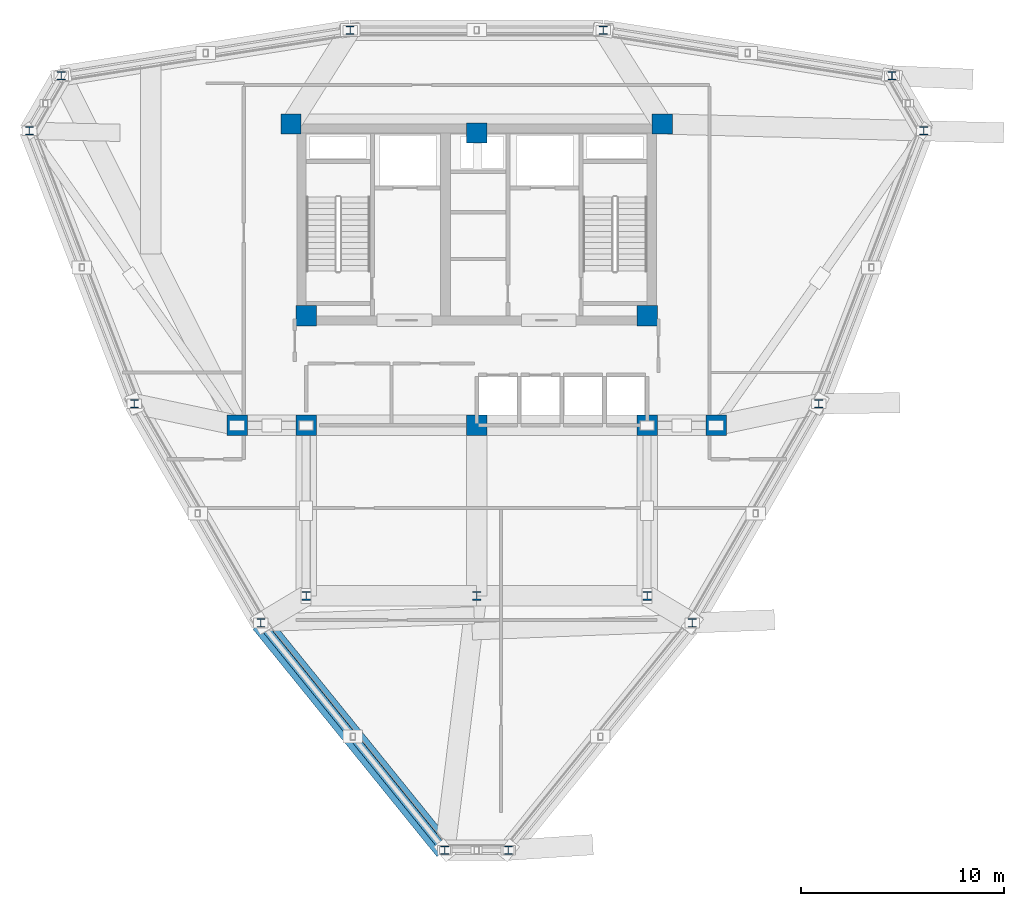
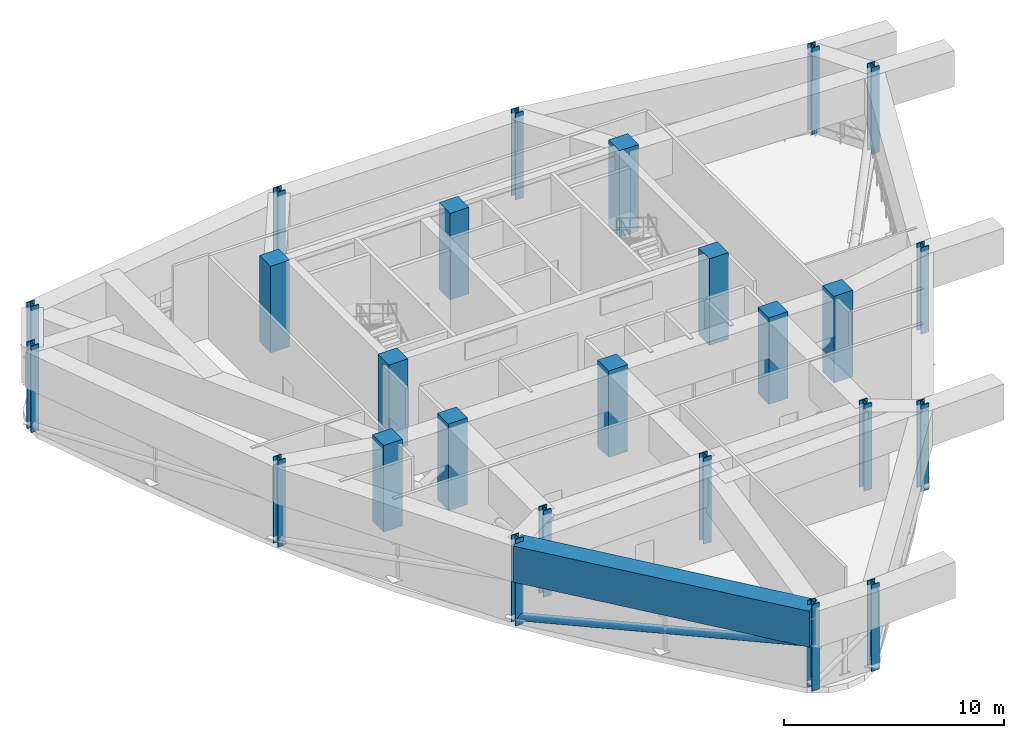
# One storey, part 1 of 12: 25 columns, 1 beam, 1 member.
"""IFC4 building model written with IfcOpenShell, lengths in metres."""

from ifc_helpers import new_model, si_unit, derived_unit, direction, frame, origin, origin_2d, place, context, subcontext, project, spatial, rectangle, hollow_circle, i_section, extrude, source, transform, mapped, material, material_profile, profile_set, type_object, element, save


model = new_model("IFC4")

# Units and contexts
model_context = context("Model", 3, precision=1e-05, world=origin(), true_north=direction((0.0, 1.0)))
body_context = subcontext(model_context, "Body", "Model", "MODEL_VIEW")
ifc_project = project(units=[si_unit("LENGTHUNIT", "METRE"), si_unit("AREAUNIT", "SQUARE_METRE"), si_unit("VOLUMEUNIT", "CUBIC_METRE"), si_unit("PLANEANGLEUNIT", "RADIAN"), si_unit("MASSUNIT", "GRAM", prefix="KILO"), derived_unit("THERMALTRANSMITTANCEUNIT", [(si_unit("POWERUNIT", "WATT"), 1), (si_unit("LENGTHUNIT", "METRE"), -2), (si_unit("THERMODYNAMICTEMPERATUREUNIT", "KELVIN"), -1)])], contexts=[model_context])

# Site, building, storey
site_placement = place(None, origin())
site = spatial("IfcSite", under=ifc_project, at=site_placement, CompositionType="ELEMENT")
building_placement = place(site_placement, origin())
building = spatial("IfcBuilding", under=site, at=building_placement, Name="Korsvarv Bourse and Concert Hall", CompositionType="ELEMENT")
storey_placement = place(building_placement, frame((0.0, 0.0, 201.0)))
storey = spatial("IfcBuildingStorey", under=building, at=storey_placement, Name="L52", CompositionType="ELEMENT", Elevation=201.0)

# Columns
ifc_material_1 = material(Name="Concrete C55/67", Category="concrete")
ifc_material_profile_1 = material_profile(ifc_material_1, rectangle(XDim=1.0, YDim=1.0, at=origin_2d()), Name="RC 1000x1000")
ifc_profile_set_1 = profile_set([ifc_material_profile_1], Name="Concrete C55/67")
column_type_1 = type_object("IfcColumnType", Name="COL-RC1000", PredefinedType="COLUMN", material=ifc_profile_set_1)
shared_shape_1 = source(origin(), body_context, "Body", "SweptSolid", [
    extrude(rectangle(XDim=1.0, YDim=1.0, at=origin_2d()), origin(), (0.0, 0.0, 1.0), 4.800048828125),
])
for number, where, z_axis, x_axis, name in (
    (1, (26.85009765625, 47.25, 0.0), (0.0, 0.0, 1.0), (1.0, 0.0, 0.0), "L52 column C-03"),
    (2, (45.14990234375, 47.25, 0.0), (0.0, 0.0, 1.0), (1.0, 0.0, 0.0), "L52 column C-03"),
    (3, (27.60009765625, 37.800048828125, 0.0), (0.0, 0.0, 1.0), (1.0, 0.0, 0.0), "L52 column C-03"),
    (4, (44.39990234375, 37.800048828125, 0.0), (0.0, 0.0, 1.0), (1.0, 0.0, 0.0), "L52 column C-03"),
    (5, (27.60009765625, 32.39990234375, 0.0), (0.0, 0.0, 1.0), (1.0, 0.0, 0.0), "L52 column C-03"),
    (6, (44.39990234375, 32.39990234375, 0.0), (0.0, 0.0, 1.0), (1.0, 0.0, 0.0), "L52 column C-03"),
    (7, (36.0, 46.800048828125, 0.0), (0.0, 0.0, 1.0), (1.0, 0.0, 0.0), "L52 column C-03"),
    (8, (36.0, 32.39990234375, 0.0), (0.0, 0.0, 1.0), (1.0, 0.0, 0.0), "L52 column C-03"),
    (9, (24.199951171875, 32.39990234375, 0.0), (0.0, 0.0, 1.0), (1.0, 0.0, 0.0), "L52 column C-03"),
    (10, (47.800048828125, 32.39990234375, 0.0), (0.0, 0.0, 1.0), (1.0, 0.0, 0.0), "L52 column C-03"),
):
    element("IfcColumn", number, at=place(storey_placement, frame(where, z_axis=z_axis, x_axis=x_axis)), inside=storey, type_object=column_type_1, Name=name, PredefinedType="COLUMN", context=body_context, shape_type="MappedRepresentation", body=[
        mapped(shared_shape_1, transform((0.0, 0.0, 0.0), scale=1.0)),
    ])
ifc_material_2 = material(Name="Steel S355", Category="steel")
ifc_material_profile_2 = material_profile(ifc_material_2, i_section(OverallWidth=0.412109375, OverallDepth=0.43505859375, WebThickness=0.032958984375, FlangeThickness=0.052978515625, FilletRadius=0.014892578125, at=origin_2d()), Name="HD 400x463")
ifc_profile_set_2 = profile_set([ifc_material_profile_2], Name="Steel S355")
column_type_2 = type_object("IfcColumnType", Name="COL-HD463", PredefinedType="COLUMN", material=ifc_profile_set_2)
shared_shape_2 = source(origin(), body_context, "Body", "SweptSolid", [
    extrude(i_section(OverallWidth=0.412109375, OverallDepth=0.43505859375, WebThickness=0.032958984375, FlangeThickness=0.052978515625, FilletRadius=0.014892578125, at=origin_2d()), origin(), (0.0, 0.0, 1.0), 4.800048828125),
])
for number, where, z_axis, x_axis, name in (
    (11, (27.60009765625, 24.0, 0.0), (0.0, 0.0, 1.0), (1.0, 0.0, 0.0), "L52 column C-09"),
    (12, (44.39990234375, 24.0, 0.0), (0.0, 0.0, 1.0), (1.0, 0.0, 0.0), "L52 column C-09"),
    (13, (36.0, 24.0, 0.0), (0.0, 0.0, 1.0), (1.0, 0.0, 0.0), "L52 column C-09"),
):
    element("IfcColumn", number, at=place(storey_placement, frame(where, z_axis=z_axis, x_axis=x_axis)), inside=storey, type_object=column_type_2, Name=name, PredefinedType="COLUMN", context=body_context, shape_type="MappedRepresentation", body=[
        mapped(shared_shape_2, transform((0.0, 0.0, 0.0), scale=1.0)),
    ])
ifc_material_profile_3 = material_profile(ifc_material_2, i_section(OverallWidth=0.406005859375, OverallDepth=0.416015625, WebThickness=0.027099609375, FlangeThickness=0.0439453125, FilletRadius=0.014892578125, at=origin_2d()), Name="HD 400x382")
ifc_profile_set_3 = profile_set([ifc_material_profile_3], Name="Steel S355")
column_type_3 = type_object("IfcColumnType", Name="COL-HD382", PredefinedType="COLUMN", material=ifc_profile_set_3)
shared_shape_3 = source(origin(), body_context, "Body", "SweptSolid", [
    extrude(i_section(OverallWidth=0.406005859375, OverallDepth=0.416015625, WebThickness=0.027099609375, FlangeThickness=0.0439453125, FilletRadius=0.014892578125, at=origin_2d()), origin(), (0.0, 0.0, 1.0), 4.800048828125),
])
for number, where, z_axis, x_axis, name in (
    (14, (58.0302734375, 46.912353515625, 0.0), (0.0, 0.0, 1.0), (1.0, 0.0, 0.0), "L52 column C-10"),
    (15, (56.465576171875, 49.62255859375, 0.0), (0.0, 0.0, 1.0), (1.0, 0.0, 0.0), "L52 column C-10"),
    (16, (42.233154296875, 51.871826171875, 0.0), (0.0, 0.0, 1.0), (1.0, 0.0, 0.0), "L52 column C-10"),
    (17, (29.766845703125, 51.871826171875, 0.0), (0.0, 0.0, 1.0), (1.0, 0.0, 0.0), "L52 column C-10"),
    (18, (15.534423828125, 49.62255859375, 0.0), (0.0, 0.0, 1.0), (1.0, 0.0, 0.0), "L52 column C-10"),
    (19, (13.9697265625, 46.912353515625, 0.0), (0.0, 0.0, 1.0), (1.0, 0.0, 0.0), "L52 column C-10"),
    (20, (19.13818359375, 33.462158203125, 0.0), (0.0, 0.0, 1.0), (1.0, 0.0, 0.0), "L52 column C-10"),
    (21, (25.37109375, 22.666015625, 0.0), (0.0, 0.0, 1.0), (1.0, 0.0, 0.0), "L52 column C-10"),
    (22, (34.435302734375, 11.465087890625, 0.0), (0.0, 0.0, 1.0), (1.0, 0.0, 0.0), "L52 column C-10"),
    (23, (37.564697265625, 11.465087890625, 0.0), (0.0, 0.0, 1.0), (1.0, 0.0, 0.0), "L52 column C-10"),
    (24, (46.62890625, 22.666015625, 0.0), (0.0, 0.0, 1.0), (1.0, 0.0, 0.0), "L52 column C-10"),
    (25, (52.86181640625, 33.462158203125, 0.0), (0.0, 0.0, 1.0), (1.0, 0.0, 0.0), "L52 column C-10"),
):
    element("IfcColumn", number, at=place(storey_placement, frame(where, z_axis=z_axis, x_axis=x_axis)), inside=storey, type_object=column_type_3, Name=name, PredefinedType="COLUMN", context=body_context, shape_type="MappedRepresentation", body=[
        mapped(shared_shape_3, transform((0.0, 0.0, 0.0), scale=1.0)),
    ])

# Beam
ifc_material_3 = material(Name="Concrete C60/75", Category="concrete")
ifc_material_profile_4 = material_profile(ifc_material_3, rectangle(XDim=1.0, YDim=2.0, at=origin_2d()), Name="RC-BM 1000x2000")
ifc_profile_set_4 = profile_set([ifc_material_profile_4], Name="Concrete C60/75")
beam_type = type_object("IfcBeamType", Name="BM-TR1", PredefinedType="BEAM", material=ifc_profile_set_4)
shared_shape_4 = source(origin(), body_context, "Body", "SweptSolid", [
    extrude(rectangle(XDim=1.0, YDim=2.0, at=origin_2d()), origin(), (0.0, 0.0, 1.0), 14.408935546875),
])
beam_placement = place(storey_placement, frame((25.37109375, 22.666015625, 3.570068359375), z_axis=(0.629063691989, -0.777353762081, 0.0), x_axis=(0.777353762081, 0.629063691989, 0.0)))
element("IfcBeam", 26, at=beam_placement, inside=storey, type_object=beam_type, Name="L52 beam B-TR1", PredefinedType="BEAM", context=body_context, shape_type="MappedRepresentation", body=[
    mapped(shared_shape_4, transform((0.0, 0.0, 0.0), scale=1.0)),
])

# Member
ifc_material_profile_5 = material_profile(ifc_material_2, hollow_circle(Radius=0.203125, WallThickness=0.01611328125, at=origin_2d()), Name="CHS 406.4x16")
ifc_profile_set_5 = profile_set([ifc_material_profile_5], Name="Steel S355")
member_type = type_object("IfcMemberType", Name="MEM-CHS406", PredefinedType="BRACE", material=ifc_profile_set_5)
shared_shape_5 = source(origin(), body_context, "Body", "SweptSolid", [
    extrude(hollow_circle(Radius=0.203125, WallThickness=0.01611328125, at=origin_2d()), origin(), (0.0, 0.0, 1.0), 14.571533203125),
])
member_placement = place(storey_placement, frame((25.37109375, 22.666015625, 0.35009765625), z_axis=(0.622049607152, -0.768686237146, 0.148915261356), x_axis=(0.777353762081, 0.629063691989, 0.0)))
element("IfcMember", 27, at=member_placement, inside=storey, type_object=member_type, Name="L52 Perimeter Belt Truss Diagonal 8", PredefinedType="BRACE", context=body_context, shape_type="MappedRepresentation", body=[
    mapped(shared_shape_5, transform((0.0, 0.0, 0.0), scale=1.0)),
])

save(model, "model.ifc")
